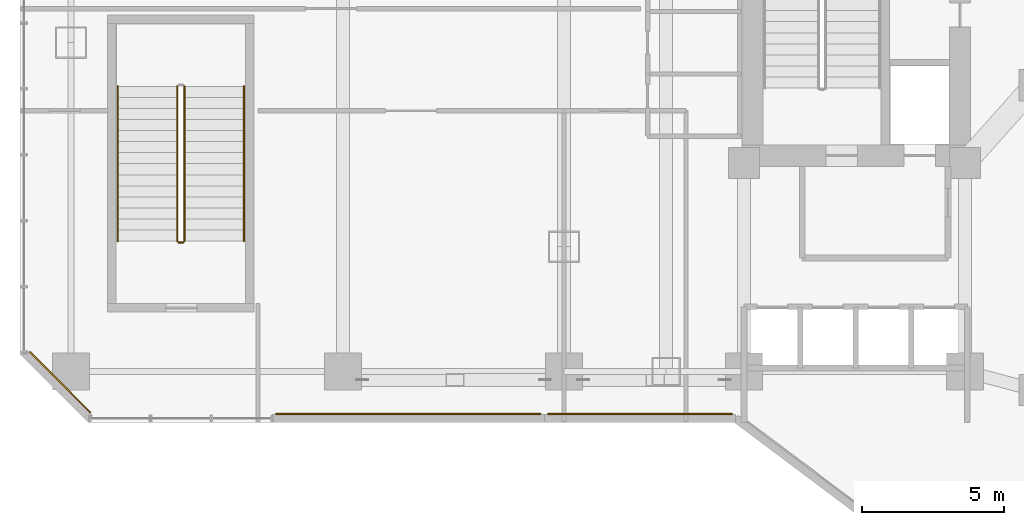
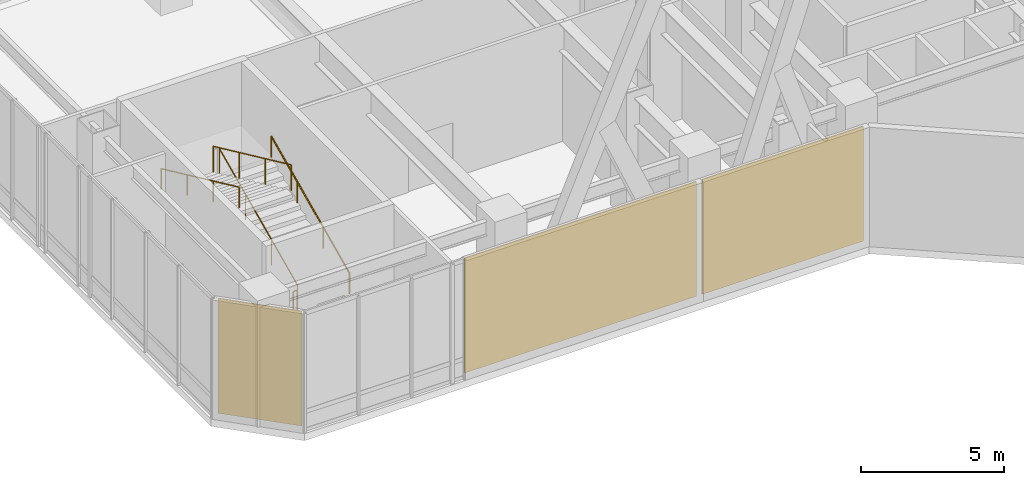
# One storey, part 31 of 35: 5 railings, 3 coverings.
"""IFC4 building model written with IfcOpenShell, lengths in metres."""

from ifc_helpers import new_model, si_unit, direction, frame, origin, origin_2d, place, context, subcontext, project, spatial, rectangle, circle, extrude, material, layer, layer_set, type_object, element, save


model = new_model("IFC4")

# Units and contexts
model_context = context("Model", 3, precision=1e-05, world=origin(), true_north=direction((0.0, 1.0)))
body_context = subcontext(model_context, "Body", "Model", "MODEL_VIEW")
ifc_project = project(units=[si_unit("LENGTHUNIT", "METRE"), si_unit("AREAUNIT", "SQUARE_METRE"), si_unit("VOLUMEUNIT", "CUBIC_METRE"), si_unit("PLANEANGLEUNIT", "RADIAN"), si_unit("MASSUNIT", "GRAM", prefix="KILO")], contexts=[model_context])

# Site, building, storey
site_placement = place(None, origin())
site = spatial("IfcSite", under=ifc_project, at=site_placement, CompositionType="ELEMENT")
building_placement = place(site_placement, origin())
building = spatial("IfcBuilding", under=site, at=building_placement, Name="Hatsunagi Terrace Concourse", CompositionType="ELEMENT")
storey_placement = place(building_placement, frame((0.0, 0.0, 5.39990234375)))
storey = spatial("IfcBuildingStorey", under=building, at=storey_placement, Name="L02", CompositionType="ELEMENT", Elevation=5.39990234375)

# Railings
ifc_material_1 = material(Name="Stainless steel", Category="steel")
ifc_layer_1 = layer(ifc_material_1, 0.050048828125)
ifc_layer_set_1 = layer_set([ifc_layer_1], Name="StairPitchHandrail_Podium2200")
railing_type_1 = type_object("IfcRailingType", Name="StairPitchHandrail_Podium2200", PredefinedType="HANDRAIL", material=ifc_layer_set_1)
railing_1_placement = place(storey_placement, frame((7.89990234375, 29.800048828125, 0.18017578125)))
element("IfcRailing", 1, at=railing_1_placement, inside=storey, type_object=railing_type_1, Name="L02 ST-P1 stair handrail 1", PredefinedType="HANDRAIL", context=body_context, shape_type="SweptSolid", body=[
    extrude(circle(Radius=0.02392578125, at=origin_2d()), frame((0.0, 0.0, 0.8759765625), z_axis=(0.0, 0.907957007956, 0.419063326602), x_axis=(-1.0, 0.0, 0.0)), (0.0, 0.0, 1.0), 6.013427734375),
    extrude(circle(Radius=0.02099609375, at=origin_2d()), origin(), (0.0, 0.0, 1.0), 0.851806640625),
    extrude(circle(Radius=0.02099609375, at=origin_2d()), frame((0.0, 1.820068359375, 0.840087890625)), (0.0, 0.0, 1.0), 0.851806640625),
    extrude(circle(Radius=0.02099609375, at=origin_2d()), frame((0.0, 3.639892578125, 1.679931640625)), (0.0, 0.0, 1.0), 0.851806640625),
    extrude(circle(Radius=0.02099609375, at=origin_2d()), frame((0.0, 5.4599609375, 2.52001953125)), (0.0, 0.0, 1.0), 0.851806640625),
])
railing_2_placement = place(storey_placement, frame((3.449951171875, 35.260009765625, 2.880126953125)))
element("IfcRailing", 2, at=railing_2_placement, inside=storey, type_object=railing_type_1, Name="L02 ST-P1 stair handrail 2", PredefinedType="HANDRAIL", context=body_context, shape_type="SweptSolid", body=[
    extrude(circle(Radius=0.02392578125, at=origin_2d()), frame((0.0, 0.0, 0.8759765625), z_axis=(0.0, -0.907957007956, 0.419063326602), x_axis=(1.0, 0.0, 0.0)), (0.0, 0.0, 1.0), 6.013427734375),
    extrude(circle(Radius=0.02099609375, at=origin_2d()), origin(), (0.0, 0.0, 1.0), 0.851806640625),
    extrude(circle(Radius=0.02099609375, at=origin_2d()), frame((0.0, -1.820068359375, 0.840087890625)), (0.0, 0.0, 1.0), 0.851806640625),
    extrude(circle(Radius=0.02099609375, at=origin_2d()), frame((0.0, -3.639892578125, 1.679931640625)), (0.0, 0.0, 1.0), 0.851806640625),
    extrude(circle(Radius=0.02099609375, at=origin_2d()), frame((0.0, -5.4599609375, 2.52001953125)), (0.0, 0.0, 1.0), 0.851806640625),
])
ifc_material_2 = material(Name="Stainless steel", Category="steel")
ifc_layer_2 = layer(ifc_material_2, 0.06494140625)
ifc_layer_set_2 = layer_set([ifc_layer_2], Name="StairWellGuard_Podium2200")
railing_type_2 = type_object("IfcRailingType", Name="StairWellGuard_Podium2200", PredefinedType="BALUSTRADE", material=ifc_layer_set_2)
railing_3_placement = place(storey_placement, frame((5.800048828125, 29.800048828125, 0.18017578125)))
element("IfcRailing", 3, at=railing_3_placement, inside=storey, type_object=railing_type_2, Name="L02 ST-P1 stair guard 1", PredefinedType="BALUSTRADE", context=body_context, shape_type="SweptSolid", body=[
    extrude(circle(Radius=0.02392578125, at=origin_2d()), frame((0.0, 0.0, 1.09619140625), z_axis=(0.0, 0.907957007956, 0.419063326602), x_axis=(-1.0, 0.0, 0.0)), (0.0, 0.0, 1.0), 6.013427734375),
    extrude(circle(Radius=0.02099609375, at=origin_2d()), origin(), (0.0, 0.0, 1.0), 1.072021484375),
    extrude(circle(Radius=0.02099609375, at=origin_2d()), frame((0.0, 1.820068359375, 0.840087890625)), (0.0, 0.0, 1.0), 1.072021484375),
    extrude(circle(Radius=0.02099609375, at=origin_2d()), frame((0.0, 3.639892578125, 1.679931640625)), (0.0, 0.0, 1.0), 1.072021484375),
    extrude(circle(Radius=0.02099609375, at=origin_2d()), frame((0.0, 5.4599609375, 2.52001953125)), (0.0, 0.0, 1.0), 1.072021484375),
])
railing_4_placement = place(storey_placement, frame((5.550048828125, 35.260009765625, 2.880126953125)))
element("IfcRailing", 4, at=railing_4_placement, inside=storey, type_object=railing_type_2, Name="L02 ST-P1 stair guard 3", PredefinedType="BALUSTRADE", context=body_context, shape_type="SweptSolid", body=[
    extrude(circle(Radius=0.02392578125, at=origin_2d()), frame((0.0, 0.0, 1.09619140625), z_axis=(0.0, -0.907957007956, 0.419063326602), x_axis=(1.0, 0.0, 0.0)), (0.0, 0.0, 1.0), 6.013427734375),
    extrude(circle(Radius=0.02099609375, at=origin_2d()), origin(), (0.0, 0.0, 1.0), 1.072021484375),
    extrude(circle(Radius=0.02099609375, at=origin_2d()), frame((0.0, -1.820068359375, 0.840087890625)), (0.0, 0.0, 1.0), 1.072021484375),
    extrude(circle(Radius=0.02099609375, at=origin_2d()), frame((0.0, -3.639892578125, 1.679931640625)), (0.0, 0.0, 1.0), 1.072021484375),
    extrude(circle(Radius=0.02099609375, at=origin_2d()), frame((0.0, -5.4599609375, 2.52001953125)), (0.0, 0.0, 1.0), 1.072021484375),
])
railing_5_placement = place(storey_placement, frame((5.75, 29.75, 0.0)))
element("IfcRailing", 5, at=railing_5_placement, inside=storey, type_object=railing_type_2, Name="L02 ST-P1 stair guard 4", PredefinedType="BALUSTRADE", context=body_context, shape_type="SweptSolid", body=[
    extrude(circle(Radius=0.02392578125, at=origin_2d()), frame((0.0, 0.0, 1.09619140625), z_axis=(-1.0, 0.0, 0.0), x_axis=(0.0, -1.0, 0.0)), (0.0, 0.0, 1.0), 0.14990234375),
    extrude(circle(Radius=0.02099609375, at=origin_2d()), origin(), (0.0, 0.0, 1.0), 1.072021484375),
    extrude(circle(Radius=0.02099609375, at=origin_2d()), frame((-0.14990234375, 0.0, 0.0)), (0.0, 0.0, 1.0), 1.072021484375),
])

# Coverings
ifc_material_3 = material(Name="Unglazed Warm Terracotta Rainscreen Tile", Category="masonry")
ifc_layer_3 = layer(ifc_material_3, 0.044921875)
ifc_layer_set_3 = layer_set([ifc_layer_3], Name="TerracottaRainscreenCladding_45")
covering_type = type_object("IfcCoveringType", Name="TerracottaRainscreenCladding_45", PredefinedType="CLADDING", material=ifc_layer_set_3)
covering_1_placement = place(storey_placement, frame((21.873046875, 23.701904296875, 0.10009765625), z_axis=(0.0, 0.0, 1.0), x_axis=(-1.0, 0.0, 0.0)))
element("IfcCovering", 6, at=covering_1_placement, inside=storey, type_object=covering_type, Name="Terracotta Rainscreen Cladding L02-06", PredefinedType="CLADDING", context=body_context, shape_type="SweptSolid", body=[
    extrude(rectangle(XDim=6.507080078125, YDim=0.044921875, at=origin_2d()), origin(), (0.0, 0.0, 1.0), 4.89990234375),
])
covering_2_placement = place(storey_placement, frame((13.699951171875, 23.701904296875, 0.10009765625), z_axis=(0.0, 0.0, 1.0), x_axis=(-1.0, 0.0, 0.0)))
element("IfcCovering", 7, at=covering_2_placement, inside=storey, type_object=covering_type, Name="Terracotta Rainscreen Cladding L02-07", PredefinedType="CLADDING", context=body_context, shape_type="SweptSolid", body=[
    extrude(rectangle(XDim=9.360107421875, YDim=0.044921875, at=origin_2d()), origin(), (0.0, 0.0, 1.0), 4.89990234375),
])
covering_3_placement = place(storey_placement, frame((1.4140625, 24.81396484375, 0.10009765625), z_axis=(0.0, 0.0, 1.0), x_axis=(-0.707106781187, 0.707106781187, 0.0)))
element("IfcCovering", 8, at=covering_3_placement, inside=storey, type_object=covering_type, Name="Terracotta Rainscreen Cladding L02-09", PredefinedType="CLADDING", context=body_context, shape_type="SweptSolid", body=[
    extrude(rectangle(XDim=3.0380859375, YDim=0.044921875, at=origin_2d()), origin(), (0.0, 0.0, 1.0), 4.89990234375),
])

save(model, "model.ifc")
